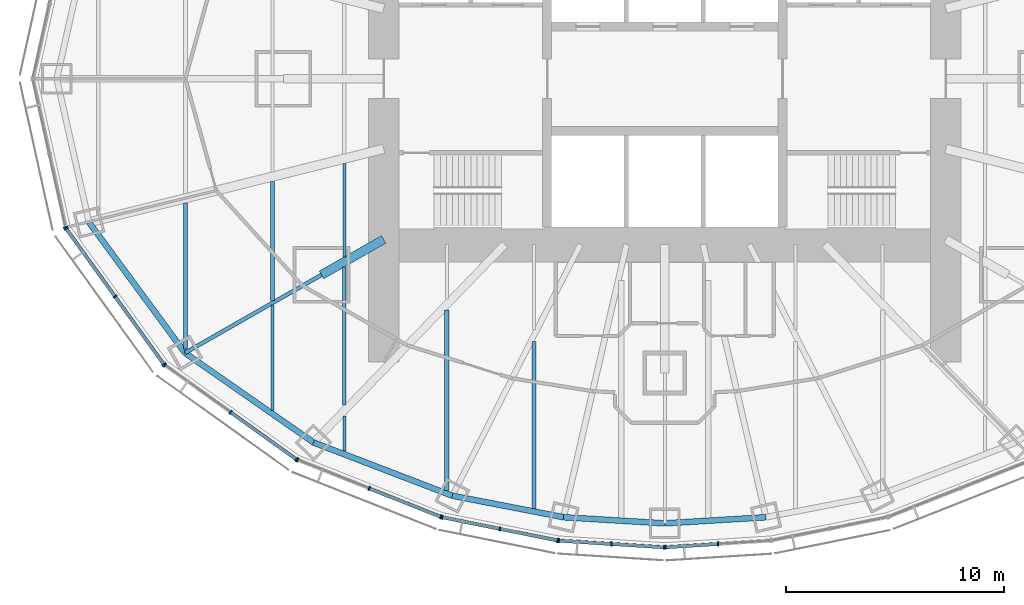
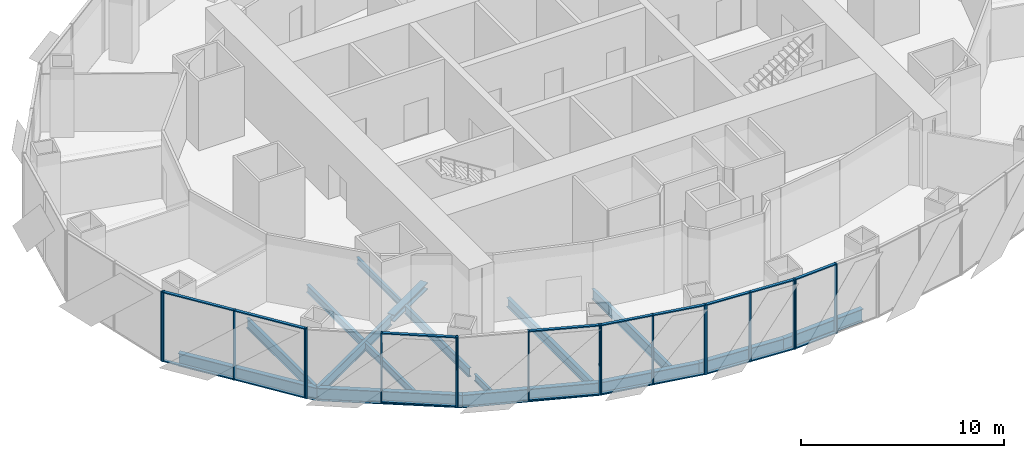
# One storey, part 2 of 17: 36 members, 16 beams, 7 elements without a shape of their own.
"""IFC4 building model written with IfcOpenShell, lengths in metres."""

from ifc_helpers import new_model, si_unit, direction, frame, origin, origin_2d, place, context, subcontext, project, spatial, rectangle, i_section, extrude, material, material_profile, profile_set, type_object, element, aggregate, save


model = new_model("IFC4")

# Units and contexts
model_context = context("Model", 3, precision=1e-05, world=origin(), true_north=direction((0.0, 1.0)))
body_context = subcontext(model_context, "Body", "Model", "MODEL_VIEW")
ifc_project = project(units=[si_unit("LENGTHUNIT", "METRE"), si_unit("AREAUNIT", "SQUARE_METRE"), si_unit("VOLUMEUNIT", "CUBIC_METRE"), si_unit("PLANEANGLEUNIT", "RADIAN"), si_unit("MASSUNIT", "GRAM", prefix="KILO")], contexts=[model_context])

# Site, building, storey
site_placement = place(None, origin())
site = spatial("IfcSite", under=ifc_project, at=site_placement, CompositionType="ELEMENT")
building_placement = place(site_placement, origin())
building = spatial("IfcBuilding", under=site, at=building_placement, Name="Lantaw Convention Tower", CompositionType="ELEMENT")
storey_placement = place(building_placement, frame((0.0, 0.0, 121.60009765625)))
storey = spatial("IfcBuildingStorey", under=building, at=storey_placement, Name="L28", CompositionType="ELEMENT", Elevation=121.60009765625)

# Beams
ifc_material_1 = material(Name="Steel ASTM A992", Category="steel")
ifc_material_profile_1 = material_profile(ifc_material_1, i_section(OverallWidth=0.2666015625, OverallDepth=0.76953125, WebThickness=0.015625, FlangeThickness=0.025390625, FilletRadius=0.0126953125, at=origin_2d()), Name="W30X132")
ifc_profile_set_1 = profile_set([ifc_material_profile_1], Name="Steel ASTM A992")
beam_type_1 = type_object("IfcBeamType", Name="Beam E W30X132", PredefinedType="SPANDREL", material=ifc_profile_set_1)
beam_1_placement = place(storey_placement, frame((-26.419921875, -6.587158203125, -0.534912109375), z_axis=(0.5923891972, -0.805651934176, 0.0), x_axis=(0.805651934176, 0.5923891972, 0.0)))
element("IfcBeam", 1, at=beam_1_placement, inside=storey, type_object=beam_type_1, Name="Edge beam 14", PredefinedType="SPANDREL", context=body_context, shape_type="SweptSolid", body=[
    extrude(i_section(OverallWidth=0.2666015625, OverallDepth=0.76953125, WebThickness=0.015625, FlangeThickness=0.025390625, FilletRadius=0.0126953125, at=origin_2d()), origin(), (0.0, 0.0, 1.0), 7.437744140625),
])
beam_2_placement = place(storey_placement, frame((-22.013916015625, -12.579345703125, -0.534912109375), z_axis=(0.820310765287, -0.57191804339, 0.0), x_axis=(0.57191804339, 0.820310765287, 0.0)))
element("IfcBeam", 2, at=beam_2_placement, inside=storey, type_object=beam_type_1, Name="Edge beam 15", PredefinedType="SPANDREL", context=body_context, shape_type="SweptSolid", body=[
    extrude(i_section(OverallWidth=0.2666015625, OverallDepth=0.76953125, WebThickness=0.015625, FlangeThickness=0.025390625, FilletRadius=0.0126953125, at=origin_2d()), origin(), (0.0, 0.0, 1.0), 7.187744140625),
])
beam_3_placement = place(storey_placement, frame((-16.11767578125, -16.690185546875, -0.534912109375), z_axis=(0.933691081977, -0.358079549033, 0.0), x_axis=(0.358079549033, 0.933691081977, 0.0)))
element("IfcBeam", 3, at=beam_3_placement, inside=storey, type_object=beam_type_1, Name="Edge beam 16", PredefinedType="SPANDREL", context=body_context, shape_type="SweptSolid", body=[
    extrude(i_section(OverallWidth=0.2666015625, OverallDepth=0.76953125, WebThickness=0.015625, FlangeThickness=0.025390625, FilletRadius=0.0126953125, at=origin_2d()), origin(), (0.0, 0.0, 1.0), 6.821533203125),
])
beam_4_placement = place(storey_placement, frame((-9.74853515625, -19.1328125, -0.534912109375), z_axis=(0.981796805654, -0.189934284446, 0.0), x_axis=(0.189934284446, 0.981796805654, 0.0)))
element("IfcBeam", 4, at=beam_4_placement, inside=storey, type_object=beam_type_1, Name="Edge beam 17", PredefinedType="SPANDREL", context=body_context, shape_type="SweptSolid", body=[
    extrude(i_section(OverallWidth=0.2666015625, OverallDepth=0.76953125, WebThickness=0.015625, FlangeThickness=0.025390625, FilletRadius=0.0126953125, at=origin_2d()), origin(), (0.0, 0.0, 1.0), 5.1982421875),
])
for number, where, z_axis, x_axis, name in (
    (5, (-4.64501953125, -20.1201171875, -0.534912109375), (0.998190892054, -0.06012439621, 0.0), (0.06012439621, 0.998190892054, 0.0), "Edge beam 18"),
    (6, (0.0, -20.39990234375, -0.534912109375), (0.998190892054, 0.06012439621, 0.0), (-0.06012439621, 0.998190892054, 0.0), "Edge beam 19"),
):
    element("IfcBeam", number, at=place(storey_placement, frame(where, z_axis=z_axis, x_axis=x_axis)), inside=storey, type_object=beam_type_1, Name=name, PredefinedType="SPANDREL", context=body_context, shape_type="SweptSolid", body=[
        extrude(i_section(OverallWidth=0.2666015625, OverallDepth=0.76953125, WebThickness=0.015625, FlangeThickness=0.025390625, FilletRadius=0.0126953125, at=origin_2d()), origin(), (0.0, 0.0, 1.0), 4.6533203125),
    ])
ifc_material_profile_2 = material_profile(ifc_material_1, i_section(OverallWidth=0.177978515625, OverallDepth=0.599365234375, WebThickness=0.010009765625, FlangeThickness=0.012939453125, FilletRadius=0.012939453125, at=origin_2d()), Name="W24X55")
ifc_profile_set_2 = profile_set([ifc_material_profile_2], Name="Steel ASTM A992")
beam_type_2 = type_object("IfcBeamType", Name="Beam G W24X55", PredefinedType="BEAM", material=ifc_profile_set_2)
beam_5_placement = place(storey_placement, frame((-15.75, -9.0, -0.44970703125), z_axis=(-0.868245224608, -0.496135293993, 0.0), x_axis=(0.496135293993, -0.868245224608, 0.0)))
element("IfcBeam", 7, at=beam_5_placement, inside=storey, type_object=beam_type_2, Name="Floor girder on ray 15", PredefinedType="BEAM", context=body_context, shape_type="SweptSolid", body=[
    extrude(i_section(OverallWidth=0.177978515625, OverallDepth=0.599365234375, WebThickness=0.010009765625, FlangeThickness=0.012939453125, FilletRadius=0.012939453125, at=origin_2d()), origin(), (0.0, 0.0, 1.0), 7.21435546875),
])
ifc_material_profile_3 = material_profile(ifc_material_1, i_section(OverallWidth=0.40380859375, OverallDepth=0.406494140625, WebThickness=0.027099609375, FlangeThickness=0.043701171875, FilletRadius=0.01513671875, at=origin_2d()), Name="W14X233")
ifc_profile_set_3 = profile_set([ifc_material_profile_3], Name="Steel ASTM A992")
beam_type_3 = type_object("IfcBeamType", Name="Beam GM W14X233", PredefinedType="BEAM", material=ifc_profile_set_3)
beam_6_placement = place(storey_placement, frame((-12.89990234375, -7.371337890625, -0.353271484375), z_axis=(-0.868238565244, -0.496146947811, 0.0), x_axis=(0.496146947811, -0.868238565244, 0.0)))
element("IfcBeam", 8, at=beam_6_placement, inside=storey, type_object=beam_type_3, Name="Core link beam on ray 15", PredefinedType="BEAM", context=body_context, shape_type="SweptSolid", body=[
    extrude(i_section(OverallWidth=0.40380859375, OverallDepth=0.406494140625, WebThickness=0.027099609375, FlangeThickness=0.043701171875, FilletRadius=0.01513671875, at=origin_2d()), origin(), (0.0, 0.0, 1.0), 3.28271484375),
])
ifc_material_profile_4 = material_profile(ifc_material_1, i_section(OverallWidth=0.140380859375, OverallDepth=0.40380859375, WebThickness=0.007080078125, FlangeThickness=0.01123046875, FilletRadius=0.01025390625, at=origin_2d()), Name="W16X31")
ifc_profile_set_4 = profile_set([ifc_material_profile_4], Name="Steel ASTM A992")
beam_type_4 = type_object("IfcBeamType", Name="Beam J W16X31", PredefinedType="JOIST", material=ifc_profile_set_4)
beam_7_placement = place(storey_placement, frame((-14.699951171875, -17.091064453125, -0.35205078125), z_axis=(0.0, 1.0, 0.0), x_axis=(-1.0, 0.0, 0.0)))
element("IfcBeam", 9, at=beam_7_placement, inside=storey, type_object=beam_type_4, Name="Floor joist", PredefinedType="JOIST", context=body_context, shape_type="SweptSolid", body=[
    extrude(i_section(OverallWidth=0.140380859375, OverallDepth=0.40380859375, WebThickness=0.007080078125, FlangeThickness=0.01123046875, FilletRadius=0.01025390625, at=origin_2d()), origin(), (0.0, 0.0, 1.0), 1.609130859375),
])
beam_8_placement = place(storey_placement, frame((-14.699951171875, -8.16748046875, -0.35205078125), z_axis=(0.0, 1.0, 0.0), x_axis=(-1.0, 0.0, 0.0)))
element("IfcBeam", 10, at=beam_8_placement, inside=storey, type_object=beam_type_4, Name="Floor joist", PredefinedType="JOIST", context=body_context, shape_type="SweptSolid", body=[
    extrude(i_section(OverallWidth=0.140380859375, OverallDepth=0.40380859375, WebThickness=0.007080078125, FlangeThickness=0.01123046875, FilletRadius=0.01025390625, at=origin_2d()), origin(), (0.0, 0.0, 1.0), 4.28515625),
])
ifc_material_profile_5 = material_profile(ifc_material_1, i_section(OverallWidth=0.15234375, OverallDepth=0.449462890625, WebThickness=0.007568359375, FlangeThickness=0.0107421875, FilletRadius=0.01025390625, at=origin_2d()), Name="W18X35")
ifc_profile_set_5 = profile_set([ifc_material_profile_5], Name="Steel ASTM A992")
beam_type_5 = type_object("IfcBeamType", Name="Beam J W18X35", PredefinedType="JOIST", material=ifc_profile_set_5)
beam_9_placement = place(storey_placement, frame((-18.0, -15.21533203125, -0.375), z_axis=(0.0, 1.0, 0.0), x_axis=(-1.0, 0.0, 0.0)))
element("IfcBeam", 11, at=beam_9_placement, inside=storey, type_object=beam_type_5, Name="Floor joist", PredefinedType="JOIST", context=body_context, shape_type="SweptSolid", body=[
    extrude(i_section(OverallWidth=0.15234375, OverallDepth=0.449462890625, WebThickness=0.007568359375, FlangeThickness=0.0107421875, FilletRadius=0.01025390625, at=origin_2d()), origin(), (0.0, 0.0, 1.0), 4.8271484375),
])
ifc_material_profile_6 = material_profile(ifc_material_1, i_section(OverallWidth=0.1904296875, OverallDepth=0.457275390625, WebThickness=0.009033203125, FlangeThickness=0.014404296875, FilletRadius=0.01025390625, at=origin_2d()), Name="W18X50")
ifc_profile_set_6 = profile_set([ifc_material_profile_6], Name="Steel ASTM A992")
beam_type_6 = type_object("IfcBeamType", Name="Beam J W18X50", PredefinedType="JOIST", material=ifc_profile_set_6)
beam_10_placement = place(storey_placement, frame((-18.0, -10.18310546875, -0.378662109375), z_axis=(0.0, 1.0, 0.0), x_axis=(-1.0, 0.0, 0.0)))
element("IfcBeam", 12, at=beam_10_placement, inside=storey, type_object=beam_type_6, Name="Floor joist", PredefinedType="JOIST", context=body_context, shape_type="SweptSolid", body=[
    extrude(i_section(OverallWidth=0.1904296875, OverallDepth=0.457275390625, WebThickness=0.009033203125, FlangeThickness=0.014404296875, FilletRadius=0.01025390625, at=origin_2d()), origin(), (0.0, 0.0, 1.0), 5.47802734375),
])
ifc_material_profile_7 = material_profile(ifc_material_1, i_section(OverallWidth=0.1650390625, OverallDepth=0.52587890625, WebThickness=0.0087890625, FlangeThickness=0.011474609375, FilletRadius=0.0126953125, at=origin_2d()), Name="W21X44")
ifc_profile_set_7 = profile_set([ifc_material_profile_7], Name="Steel ASTM A992")
beam_type_7 = type_object("IfcBeamType", Name="Beam J W21X44", PredefinedType="JOIST", material=ifc_profile_set_7)
beam_11_placement = place(storey_placement, frame((-14.699951171875, -14.962646484375, -0.4130859375), z_axis=(0.0, 1.0, 0.0), x_axis=(-1.0, 0.0, 0.0)))
element("IfcBeam", 13, at=beam_11_placement, inside=storey, type_object=beam_type_7, Name="Floor joist", PredefinedType="JOIST", context=body_context, shape_type="SweptSolid", body=[
    extrude(i_section(OverallWidth=0.1650390625, OverallDepth=0.52587890625, WebThickness=0.0087890625, FlangeThickness=0.011474609375, FilletRadius=0.0126953125, at=origin_2d()), origin(), (0.0, 0.0, 1.0), 6.330078125),
])
ifc_material_profile_8 = material_profile(ifc_material_1, i_section(OverallWidth=0.2099609375, OverallDepth=0.535888671875, WebThickness=0.010986328125, FlangeThickness=0.017333984375, FilletRadius=0.012939453125, at=origin_2d()), Name="W21X68")
ifc_profile_set_8 = profile_set([ifc_material_profile_8], Name="Steel ASTM A992")
beam_type_8 = type_object("IfcBeamType", Name="Beam J W21X68", PredefinedType="JOIST", material=ifc_profile_set_8)
beam_12_placement = place(storey_placement, frame((-10.0, -18.8935546875, -0.41796875), z_axis=(0.0, 1.0, 0.0), x_axis=(-1.0, 0.0, 0.0)))
element("IfcBeam", 14, at=beam_12_placement, inside=storey, type_object=beam_type_8, Name="Floor joist", PredefinedType="JOIST", context=body_context, shape_type="SweptSolid", body=[
    extrude(i_section(OverallWidth=0.2099609375, OverallDepth=0.535888671875, WebThickness=0.010986328125, FlangeThickness=0.017333984375, FilletRadius=0.012939453125, at=origin_2d()), origin(), (0.0, 0.0, 1.0), 8.278564453125),
])
ifc_material_profile_9 = material_profile(ifc_material_1, i_section(OverallWidth=0.177978515625, OverallDepth=0.599365234375, WebThickness=0.010009765625, FlangeThickness=0.012939453125, FilletRadius=0.012939453125, at=origin_2d()), Name="W24X55")
ifc_profile_set_9 = profile_set([ifc_material_profile_9], Name="Steel ASTM A992")
beam_type_9 = type_object("IfcBeamType", Name="Beam J W24X55", PredefinedType="JOIST", material=ifc_profile_set_9)
beam_13_placement = place(storey_placement, frame((-22.0, -12.408935546875, -0.44970703125), z_axis=(0.0, 1.0, 0.0), x_axis=(-1.0, 0.0, 0.0)))
element("IfcBeam", 15, at=beam_13_placement, inside=storey, type_object=beam_type_9, Name="Floor joist", PredefinedType="JOIST", context=body_context, shape_type="SweptSolid", body=[
    extrude(i_section(OverallWidth=0.177978515625, OverallDepth=0.599365234375, WebThickness=0.010009765625, FlangeThickness=0.012939453125, FilletRadius=0.012939453125, at=origin_2d()), origin(), (0.0, 0.0, 1.0), 6.70654296875),
])
beam_14_placement = place(storey_placement, frame((-6.0, -19.72216796875, -0.44970703125), z_axis=(0.0, 1.0, 0.0), x_axis=(-1.0, 0.0, 0.0)))
element("IfcBeam", 16, at=beam_14_placement, inside=storey, type_object=beam_type_9, Name="Floor joist", PredefinedType="JOIST", context=body_context, shape_type="SweptSolid", body=[
    extrude(i_section(OverallWidth=0.177978515625, OverallDepth=0.599365234375, WebThickness=0.010009765625, FlangeThickness=0.012939453125, FilletRadius=0.012939453125, at=origin_2d()), origin(), (0.0, 0.0, 1.0), 7.666748046875),
])

# Curtain wall, member
ifc_material_2 = material(Name="Aluminium framed curtain wall", Category="aluminium")
curtain_wall_type = type_object("IfcCurtainWallType", Name="Office curtain wall low rise, pale aluminium", PredefinedType="USERDEFINED", material=ifc_material_2)
curtain_wall_1_placement = place(storey_placement, origin())
curtain_wall_1 = element("IfcCurtainWall", 17, at=curtain_wall_1_placement, inside=storey, type_object=curtain_wall_type, Name="Office curtain wall low rise, pale aluminium L28", ObjectType="UNITISED CURTAIN WALL", PredefinedType="USERDEFINED")
ifc_material_3 = material(Name="Aluminium 6063-T6", Category="aluminium")
ifc_material_profile_10 = material_profile(ifc_material_3, rectangle(XDim=0.199951171875, YDim=0.06494140625, at=origin_2d()), Name="CW-O1 mullion 65x200")
ifc_profile_set_10 = profile_set([ifc_material_profile_10], Name="Aluminium 6063-T6")
member_type_1 = type_object("IfcMemberType", Name="CW-O1 mullion 65x200", PredefinedType="MULLION", material=ifc_profile_set_10)
member_1_placement = place(storey_placement, frame((-27.494140625, -6.821533203125, -0.150146484375), z_axis=(0.0, 0.0, 1.0), x_axis=(0.9764936509, 0.215546166174, 0.0)))
member_1 = element("IfcMember", 18, at=member_1_placement, type_object=member_type_1, Name="CW-O1 mullion 3", PredefinedType="MULLION", context=body_context, shape_type="SweptSolid", body=[
    extrude(rectangle(XDim=0.199951171875, YDim=0.06494140625, at=origin_2d()), origin(), (0.0, 0.0, 1.0), 4.199951171875),
])
aggregate(curtain_wall_1, [member_1])

# Curtain wall, members
curtain_wall_2_placement = place(storey_placement, origin())
curtain_wall_2 = element("IfcCurtainWall", 19, at=curtain_wall_2_placement, inside=storey, type_object=curtain_wall_type, Name="Office curtain wall low rise, pale aluminium L28", ObjectType="UNITISED CURTAIN WALL", PredefinedType="USERDEFINED")
member_2_placement = place(storey_placement, frame((-27.46826171875, -6.879638671875, -0.150146484375), z_axis=(0.0, 0.0, 1.0), x_axis=(0.811384633629, 0.584512597221, 0.0)))
member_2 = element("IfcMember", 20, at=member_2_placement, type_object=member_type_1, Name="CW-O1 mullion 1", PredefinedType="MULLION", context=body_context, shape_type="SweptSolid", body=[
    extrude(rectangle(XDim=0.199951171875, YDim=0.06494140625, at=origin_2d()), origin(), (0.0, 0.0, 1.0), 4.199951171875),
])
member_3_placement = place(storey_placement, frame((-25.22802734375, -9.9892578125, -0.150146484375), z_axis=(0.0, 0.0, 1.0), x_axis=(0.811384633629, 0.584512597221, 0.0)))
member_3 = element("IfcMember", 21, at=member_3_placement, type_object=member_type_1, Name="CW-O1 mullion 2", PredefinedType="MULLION", context=body_context, shape_type="SweptSolid", body=[
    extrude(rectangle(XDim=0.199951171875, YDim=0.06494140625, at=origin_2d()), origin(), (0.0, 0.0, 1.0), 4.199951171875),
])
member_4_placement = place(storey_placement, frame((-22.988037109375, -13.098876953125, -0.150146484375), z_axis=(0.0, 0.0, 1.0), x_axis=(0.811384633629, 0.584512597221, 0.0)))
member_4 = element("IfcMember", 22, at=member_4_placement, type_object=member_type_1, Name="CW-O1 mullion 3", PredefinedType="MULLION", context=body_context, shape_type="SweptSolid", body=[
    extrude(rectangle(XDim=0.199951171875, YDim=0.06494140625, at=origin_2d()), origin(), (0.0, 0.0, 1.0), 4.199951171875),
])

curtain_wall_3_placement = place(storey_placement, origin())
curtain_wall_3 = element("IfcCurtainWall", 23, at=curtain_wall_3_placement, inside=storey, type_object=curtain_wall_type, Name="Office curtain wall low rise, pale aluminium L28", ObjectType="UNITISED CURTAIN WALL", PredefinedType="USERDEFINED")
member_5_placement = place(storey_placement, frame((-22.942626953125, -13.14404296875, -0.150146484375), z_axis=(0.0, 0.0, 1.0), x_axis=(0.581972695693, 0.813208325995, 0.0)))
member_5 = element("IfcMember", 24, at=member_5_placement, type_object=member_type_1, Name="CW-O1 mullion 1", PredefinedType="MULLION", context=body_context, shape_type="SweptSolid", body=[
    extrude(rectangle(XDim=0.199951171875, YDim=0.06494140625, at=origin_2d()), origin(), (0.0, 0.0, 1.0), 4.199951171875),
])
member_6_placement = place(storey_placement, frame((-19.92529296875, -15.303466796875, -0.150146484375), z_axis=(0.0, 0.0, 1.0), x_axis=(0.581972695693, 0.813208325995, 0.0)))
member_6 = element("IfcMember", 25, at=member_6_placement, type_object=member_type_1, Name="CW-O1 mullion 2", PredefinedType="MULLION", context=body_context, shape_type="SweptSolid", body=[
    extrude(rectangle(XDim=0.199951171875, YDim=0.06494140625, at=origin_2d()), origin(), (0.0, 0.0, 1.0), 4.199951171875),
])
member_7_placement = place(storey_placement, frame((-16.908203125, -17.462646484375, -0.150146484375), z_axis=(0.0, 0.0, 1.0), x_axis=(0.581972695693, 0.813208325995, 0.0)))
member_7 = element("IfcMember", 26, at=member_7_placement, type_object=member_type_1, Name="CW-O1 mullion 3", PredefinedType="MULLION", context=body_context, shape_type="SweptSolid", body=[
    extrude(rectangle(XDim=0.199951171875, YDim=0.06494140625, at=origin_2d()), origin(), (0.0, 0.0, 1.0), 4.199951171875),
])

curtain_wall_4_placement = place(storey_placement, origin())
curtain_wall_4 = element("IfcCurtainWall", 27, at=curtain_wall_4_placement, inside=storey, type_object=curtain_wall_type, Name="Office curtain wall low rise, pale aluminium L28", ObjectType="UNITISED CURTAIN WALL", PredefinedType="USERDEFINED")
member_8_placement = place(storey_placement, frame((-16.8515625, -17.49365234375, -0.150146484375), z_axis=(0.0, 0.0, 1.0), x_axis=(0.368701907483, 0.929547687544, 0.0)))
member_8 = element("IfcMember", 28, at=member_8_placement, type_object=member_type_1, Name="CW-O1 mullion 1", PredefinedType="MULLION", context=body_context, shape_type="SweptSolid", body=[
    extrude(rectangle(XDim=0.199951171875, YDim=0.06494140625, at=origin_2d()), origin(), (0.0, 0.0, 1.0), 4.199951171875),
])
member_9_placement = place(storey_placement, frame((-13.56494140625, -18.797119140625, -0.150146484375), z_axis=(0.0, 0.0, 1.0), x_axis=(0.368701907483, 0.929547687544, 0.0)))
member_9 = element("IfcMember", 29, at=member_9_placement, type_object=member_type_1, Name="CW-O1 mullion 2", PredefinedType="MULLION", context=body_context, shape_type="SweptSolid", body=[
    extrude(rectangle(XDim=0.199951171875, YDim=0.06494140625, at=origin_2d()), origin(), (0.0, 0.0, 1.0), 4.199951171875),
])
member_10_placement = place(storey_placement, frame((-10.2783203125, -20.100830078125, -0.150146484375), z_axis=(0.0, 0.0, 1.0), x_axis=(0.368701907483, 0.929547687544, 0.0)))
member_10 = element("IfcMember", 30, at=member_10_placement, type_object=member_type_1, Name="CW-O1 mullion 3", PredefinedType="MULLION", context=body_context, shape_type="SweptSolid", body=[
    extrude(rectangle(XDim=0.199951171875, YDim=0.06494140625, at=origin_2d()), origin(), (0.0, 0.0, 1.0), 4.199951171875),
])

curtain_wall_5_placement = place(storey_placement, origin())
curtain_wall_5 = element("IfcCurtainWall", 31, at=curtain_wall_5_placement, inside=storey, type_object=curtain_wall_type, Name="Office curtain wall low rise, pale aluminium L28", ObjectType="UNITISED CURTAIN WALL", PredefinedType="USERDEFINED")
member_11_placement = place(storey_placement, frame((-10.216064453125, -20.119140625, -0.150146484375), z_axis=(0.0, 0.0, 1.0), x_axis=(0.197506809659, 0.980301514912, 0.0)))
member_11 = element("IfcMember", 32, at=member_11_placement, type_object=member_type_1, Name="CW-O1 mullion 1", PredefinedType="MULLION", context=body_context, shape_type="SweptSolid", body=[
    extrude(rectangle(XDim=0.199951171875, YDim=0.06494140625, at=origin_2d()), origin(), (0.0, 0.0, 1.0), 4.199951171875),
])
member_12_placement = place(storey_placement, frame((-7.5703125, -20.65234375, -0.150146484375), z_axis=(0.0, 0.0, 1.0), x_axis=(0.197506809659, 0.980301514912, 0.0)))
member_12 = element("IfcMember", 33, at=member_12_placement, type_object=member_type_1, Name="CW-O1 mullion 2", PredefinedType="MULLION", context=body_context, shape_type="SweptSolid", body=[
    extrude(rectangle(XDim=0.199951171875, YDim=0.06494140625, at=origin_2d()), origin(), (0.0, 0.0, 1.0), 4.199951171875),
])
member_13_placement = place(storey_placement, frame((-4.92431640625, -21.185302734375, -0.150146484375), z_axis=(0.0, 0.0, 1.0), x_axis=(0.197506809659, 0.980301514912, 0.0)))
member_13 = element("IfcMember", 34, at=member_13_placement, type_object=member_type_1, Name="CW-O1 mullion 3", PredefinedType="MULLION", context=body_context, shape_type="SweptSolid", body=[
    extrude(rectangle(XDim=0.199951171875, YDim=0.06494140625, at=origin_2d()), origin(), (0.0, 0.0, 1.0), 4.199951171875),
])

curtain_wall_6_placement = place(storey_placement, origin())
curtain_wall_6 = element("IfcCurtainWall", 35, at=curtain_wall_6_placement, inside=storey, type_object=curtain_wall_type, Name="Office curtain wall low rise, pale aluminium L28", ObjectType="UNITISED CURTAIN WALL", PredefinedType="USERDEFINED")
member_14_placement = place(storey_placement, frame((-4.860107421875, -21.19384765625, -0.150146484375), z_axis=(0.0, 0.0, 1.0), x_axis=(0.062865059466, 0.998022035978, 0.0)))
member_14 = element("IfcMember", 36, at=member_14_placement, type_object=member_type_1, Name="CW-O1 mullion 1", PredefinedType="MULLION", context=body_context, shape_type="SweptSolid", body=[
    extrude(rectangle(XDim=0.199951171875, YDim=0.06494140625, at=origin_2d()), origin(), (0.0, 0.0, 1.0), 4.199951171875),
])
member_15_placement = place(storey_placement, frame((-2.4462890625, -21.345947265625, -0.150146484375), z_axis=(0.0, 0.0, 1.0), x_axis=(0.062865059466, 0.998022035978, 0.0)))
member_15 = element("IfcMember", 37, at=member_15_placement, type_object=member_type_1, Name="CW-O1 mullion 2", PredefinedType="MULLION", context=body_context, shape_type="SweptSolid", body=[
    extrude(rectangle(XDim=0.199951171875, YDim=0.06494140625, at=origin_2d()), origin(), (0.0, 0.0, 1.0), 4.199951171875),
])
member_16_placement = place(storey_placement, frame((-0.032470703125, -21.498046875, -0.150146484375), z_axis=(0.0, 0.0, 1.0), x_axis=(0.062865059466, 0.998022035978, 0.0)))
member_16 = element("IfcMember", 38, at=member_16_placement, type_object=member_type_1, Name="CW-O1 mullion 3", PredefinedType="MULLION", context=body_context, shape_type="SweptSolid", body=[
    extrude(rectangle(XDim=0.199951171875, YDim=0.06494140625, at=origin_2d()), origin(), (0.0, 0.0, 1.0), 4.199951171875),
])

curtain_wall_7_placement = place(storey_placement, origin())
curtain_wall_7 = element("IfcCurtainWall", 39, at=curtain_wall_7_placement, inside=storey, type_object=curtain_wall_type, Name="Office curtain wall low rise, pale aluminium L28", ObjectType="UNITISED CURTAIN WALL", PredefinedType="USERDEFINED")
member_17_placement = place(storey_placement, frame((0.032470703125, -21.498046875, -0.150146484375), z_axis=(0.0, 0.0, 1.0), x_axis=(-0.062865059466, 0.998022035978, 0.0)))
member_17 = element("IfcMember", 40, at=member_17_placement, type_object=member_type_1, Name="CW-O1 mullion 1", PredefinedType="MULLION", context=body_context, shape_type="SweptSolid", body=[
    extrude(rectangle(XDim=0.199951171875, YDim=0.06494140625, at=origin_2d()), origin(), (0.0, 0.0, 1.0), 4.199951171875),
])
member_18_placement = place(storey_placement, frame((2.4462890625, -21.345947265625, -0.150146484375), z_axis=(0.0, 0.0, 1.0), x_axis=(-0.062865059466, 0.998022035978, 0.0)))
member_18 = element("IfcMember", 41, at=member_18_placement, type_object=member_type_1, Name="CW-O1 mullion 2", PredefinedType="MULLION", context=body_context, shape_type="SweptSolid", body=[
    extrude(rectangle(XDim=0.199951171875, YDim=0.06494140625, at=origin_2d()), origin(), (0.0, 0.0, 1.0), 4.199951171875),
])

# Member
ifc_material_profile_11 = material_profile(ifc_material_3, rectangle(XDim=0.159912109375, YDim=0.06494140625, at=origin_2d()), Name="CW-O1 transom 65x160")
ifc_profile_set_11 = profile_set([ifc_material_profile_11], Name="Aluminium 6063-T6")
member_type_2 = type_object("IfcMemberType", Name="CW-O1 transom 65x160", PredefinedType="USERDEFINED", material=ifc_profile_set_11)
member_19_placement = place(storey_placement, frame((-27.44921875, -6.906005859375, -0.11767578125), z_axis=(0.584512973979, -0.811384362217, 0.0), x_axis=(0.811384362217, 0.584512973979, 0.0)))
member_19 = element("IfcMember", 42, at=member_19_placement, type_object=member_type_2, Name="CW-O1 transom 1.1", ObjectType="TRANSOM", PredefinedType="USERDEFINED", context=body_context, shape_type="SweptSolid", body=[
    extrude(rectangle(XDim=0.159912109375, YDim=0.06494140625, at=origin_2d()), origin(), (0.0, 0.0, 1.0), 3.767578125),
])

member_20_placement = place(storey_placement, frame((-27.44921875, -6.906005859375, 4.017333984375), z_axis=(0.584512973979, -0.811384362217, 0.0), x_axis=(0.811384362217, 0.584512973979, 0.0)))
member_20 = element("IfcMember", 43, at=member_20_placement, type_object=member_type_2, Name="CW-O1 transom 1.2", ObjectType="TRANSOM", PredefinedType="USERDEFINED", context=body_context, shape_type="SweptSolid", body=[
    extrude(rectangle(XDim=0.159912109375, YDim=0.06494140625, at=origin_2d()), origin(), (0.0, 0.0, 1.0), 3.767578125),
])

member_21_placement = place(storey_placement, frame((-25.209228515625, -10.015625, -0.11767578125), z_axis=(0.584512973979, -0.811384362217, 0.0), x_axis=(0.811384362217, 0.584512973979, 0.0)))
member_21 = element("IfcMember", 44, at=member_21_placement, type_object=member_type_2, Name="CW-O1 transom 2.1", ObjectType="TRANSOM", PredefinedType="USERDEFINED", context=body_context, shape_type="SweptSolid", body=[
    extrude(rectangle(XDim=0.159912109375, YDim=0.06494140625, at=origin_2d()), origin(), (0.0, 0.0, 1.0), 3.767578125),
])

member_22_placement = place(storey_placement, frame((-25.209228515625, -10.015625, 4.017333984375), z_axis=(0.584512973979, -0.811384362217, 0.0), x_axis=(0.811384362217, 0.584512973979, 0.0)))
member_22 = element("IfcMember", 45, at=member_22_placement, type_object=member_type_2, Name="CW-O1 transom 2.2", ObjectType="TRANSOM", PredefinedType="USERDEFINED", context=body_context, shape_type="SweptSolid", body=[
    extrude(rectangle(XDim=0.159912109375, YDim=0.06494140625, at=origin_2d()), origin(), (0.0, 0.0, 1.0), 3.767578125),
])

aggregate(curtain_wall_2, [member_2, member_3, member_4, member_19, member_20, member_21, member_22])

member_23_placement = place(storey_placement, frame((-19.89892578125, -15.322265625, -0.11767578125), z_axis=(0.813190089133, -0.581998177777, 0.0), x_axis=(0.581998177777, 0.813190089133, 0.0)))
member_23 = element("IfcMember", 46, at=member_23_placement, type_object=member_type_2, Name="CW-O1 transom 2.1", ObjectType="TRANSOM", PredefinedType="USERDEFINED", context=body_context, shape_type="SweptSolid", body=[
    extrude(rectangle(XDim=0.159912109375, YDim=0.06494140625, at=origin_2d()), origin(), (0.0, 0.0, 1.0), 3.645263671875),
])

member_24_placement = place(storey_placement, frame((-19.89892578125, -15.322265625, 4.017333984375), z_axis=(0.813190089133, -0.581998177777, 0.0), x_axis=(0.581998177777, 0.813190089133, 0.0)))
member_24 = element("IfcMember", 47, at=member_24_placement, type_object=member_type_2, Name="CW-O1 transom 2.2", ObjectType="TRANSOM", PredefinedType="USERDEFINED", context=body_context, shape_type="SweptSolid", body=[
    extrude(rectangle(XDim=0.159912109375, YDim=0.06494140625, at=origin_2d()), origin(), (0.0, 0.0, 1.0), 3.645263671875),
])

aggregate(curtain_wall_3, [member_5, member_6, member_7, member_23, member_24])

member_25_placement = place(storey_placement, frame((-13.53466796875, -18.80908203125, -0.11767578125), z_axis=(0.929540081544, -0.368721082668, 0.0), x_axis=(0.368721082668, 0.929540081544, 0.0)))
member_25 = element("IfcMember", 48, at=member_25_placement, type_object=member_type_2, Name="CW-O1 transom 2.1", ObjectType="TRANSOM", PredefinedType="USERDEFINED", context=body_context, shape_type="SweptSolid", body=[
    extrude(rectangle(XDim=0.159912109375, YDim=0.06494140625, at=origin_2d()), origin(), (0.0, 0.0, 1.0), 3.470947265625),
])

member_26_placement = place(storey_placement, frame((-13.53466796875, -18.80908203125, 4.017333984375), z_axis=(0.929540081544, -0.368721082668, 0.0), x_axis=(0.368721082668, 0.929540081544, 0.0)))
member_26 = element("IfcMember", 49, at=member_26_placement, type_object=member_type_2, Name="CW-O1 transom 2.2", ObjectType="TRANSOM", PredefinedType="USERDEFINED", context=body_context, shape_type="SweptSolid", body=[
    extrude(rectangle(XDim=0.159912109375, YDim=0.06494140625, at=origin_2d()), origin(), (0.0, 0.0, 1.0), 3.470947265625),
])

aggregate(curtain_wall_4, [member_8, member_9, member_10, member_25, member_26])

member_27_placement = place(storey_placement, frame((-10.184326171875, -20.125732421875, -0.11767578125), z_axis=(0.980301643003, -0.197506173891, 0.0), x_axis=(0.197506173891, 0.980301643003, 0.0)))
member_27 = element("IfcMember", 50, at=member_27_placement, type_object=member_type_2, Name="CW-O1 transom 1.1", ObjectType="TRANSOM", PredefinedType="USERDEFINED", context=body_context, shape_type="SweptSolid", body=[
    extrude(rectangle(XDim=0.159912109375, YDim=0.06494140625, at=origin_2d()), origin(), (0.0, 0.0, 1.0), 2.63427734375),
])

member_28_placement = place(storey_placement, frame((-10.184326171875, -20.125732421875, 4.017333984375), z_axis=(0.980301643003, -0.197506173891, 0.0), x_axis=(0.197506173891, 0.980301643003, 0.0)))
member_28 = element("IfcMember", 51, at=member_28_placement, type_object=member_type_2, Name="CW-O1 transom 1.2", ObjectType="TRANSOM", PredefinedType="USERDEFINED", context=body_context, shape_type="SweptSolid", body=[
    extrude(rectangle(XDim=0.159912109375, YDim=0.06494140625, at=origin_2d()), origin(), (0.0, 0.0, 1.0), 2.63427734375),
])

member_29_placement = place(storey_placement, frame((-7.538330078125, -20.65869140625, -0.11767578125), z_axis=(0.980298027092, -0.197524120247, 0.0), x_axis=(0.197524120247, 0.980298027092, 0.0)))
member_29 = element("IfcMember", 52, at=member_29_placement, type_object=member_type_2, Name="CW-O1 transom 2.1", ObjectType="TRANSOM", PredefinedType="USERDEFINED", context=body_context, shape_type="SweptSolid", body=[
    extrude(rectangle(XDim=0.159912109375, YDim=0.06494140625, at=origin_2d()), origin(), (0.0, 0.0, 1.0), 2.634033203125),
])

member_30_placement = place(storey_placement, frame((-7.538330078125, -20.65869140625, 4.017333984375), z_axis=(0.980298027092, -0.197524120247, 0.0), x_axis=(0.197524120247, 0.980298027092, 0.0)))
member_30 = element("IfcMember", 53, at=member_30_placement, type_object=member_type_2, Name="CW-O1 transom 2.2", ObjectType="TRANSOM", PredefinedType="USERDEFINED", context=body_context, shape_type="SweptSolid", body=[
    extrude(rectangle(XDim=0.159912109375, YDim=0.06494140625, at=origin_2d()), origin(), (0.0, 0.0, 1.0), 2.634033203125),
])

aggregate(curtain_wall_5, [member_11, member_12, member_13, member_27, member_28, member_29, member_30])

member_31_placement = place(storey_placement, frame((-4.82763671875, -21.19580078125, -0.11767578125), z_axis=(0.998022188463, -0.062862638625, 0.0), x_axis=(0.062862638625, 0.998022188463, 0.0)))
member_31 = element("IfcMember", 54, at=member_31_placement, type_object=member_type_2, Name="CW-O1 transom 1.1", ObjectType="TRANSOM", PredefinedType="USERDEFINED", context=body_context, shape_type="SweptSolid", body=[
    extrude(rectangle(XDim=0.159912109375, YDim=0.06494140625, at=origin_2d()), origin(), (0.0, 0.0, 1.0), 2.353515625),
])

member_32_placement = place(storey_placement, frame((-4.82763671875, -21.19580078125, 4.017333984375), z_axis=(0.998022188463, -0.062862638625, 0.0), x_axis=(0.062862638625, 0.998022188463, 0.0)))
member_32 = element("IfcMember", 55, at=member_32_placement, type_object=member_type_2, Name="CW-O1 transom 1.2", ObjectType="TRANSOM", PredefinedType="USERDEFINED", context=body_context, shape_type="SweptSolid", body=[
    extrude(rectangle(XDim=0.159912109375, YDim=0.06494140625, at=origin_2d()), origin(), (0.0, 0.0, 1.0), 2.353515625),
])

member_33_placement = place(storey_placement, frame((-2.413818359375, -21.347900390625, -0.11767578125), z_axis=(0.998022188463, -0.062862638625, 0.0), x_axis=(0.062862638625, 0.998022188463, 0.0)))
member_33 = element("IfcMember", 56, at=member_33_placement, type_object=member_type_2, Name="CW-O1 transom 2.1", ObjectType="TRANSOM", PredefinedType="USERDEFINED", context=body_context, shape_type="SweptSolid", body=[
    extrude(rectangle(XDim=0.159912109375, YDim=0.06494140625, at=origin_2d()), origin(), (0.0, 0.0, 1.0), 2.353515625),
])

member_34_placement = place(storey_placement, frame((-2.413818359375, -21.347900390625, 4.017333984375), z_axis=(0.998022188463, -0.062862638625, 0.0), x_axis=(0.062862638625, 0.998022188463, 0.0)))
member_34 = element("IfcMember", 57, at=member_34_placement, type_object=member_type_2, Name="CW-O1 transom 2.2", ObjectType="TRANSOM", PredefinedType="USERDEFINED", context=body_context, shape_type="SweptSolid", body=[
    extrude(rectangle(XDim=0.159912109375, YDim=0.06494140625, at=origin_2d()), origin(), (0.0, 0.0, 1.0), 2.353515625),
])

aggregate(curtain_wall_6, [member_14, member_15, member_16, member_31, member_32, member_33, member_34])

member_35_placement = place(storey_placement, frame((0.06494140625, -21.495849609375, -0.11767578125), z_axis=(0.998022188463, 0.062862638625, 0.0), x_axis=(-0.062862638625, 0.998022188463, 0.0)))
member_35 = element("IfcMember", 58, at=member_35_placement, type_object=member_type_2, Name="CW-O1 transom 1.1", ObjectType="TRANSOM", PredefinedType="USERDEFINED", context=body_context, shape_type="SweptSolid", body=[
    extrude(rectangle(XDim=0.159912109375, YDim=0.06494140625, at=origin_2d()), origin(), (0.0, 0.0, 1.0), 2.353515625),
])

member_36_placement = place(storey_placement, frame((0.06494140625, -21.495849609375, 4.017333984375), z_axis=(0.998022188463, 0.062862638625, 0.0), x_axis=(-0.062862638625, 0.998022188463, 0.0)))
member_36 = element("IfcMember", 59, at=member_36_placement, type_object=member_type_2, Name="CW-O1 transom 1.2", ObjectType="TRANSOM", PredefinedType="USERDEFINED", context=body_context, shape_type="SweptSolid", body=[
    extrude(rectangle(XDim=0.159912109375, YDim=0.06494140625, at=origin_2d()), origin(), (0.0, 0.0, 1.0), 2.353515625),
])

aggregate(curtain_wall_7, [member_17, member_18, member_35, member_36])

save(model, "model.ifc")
